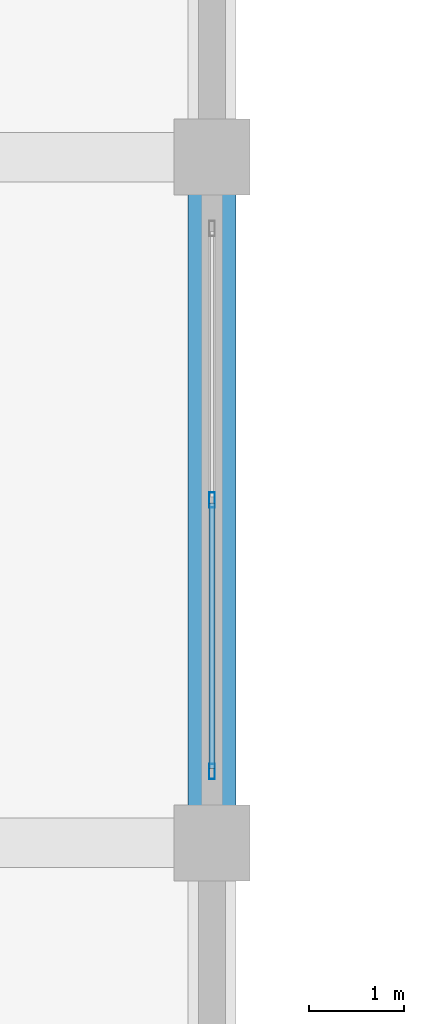
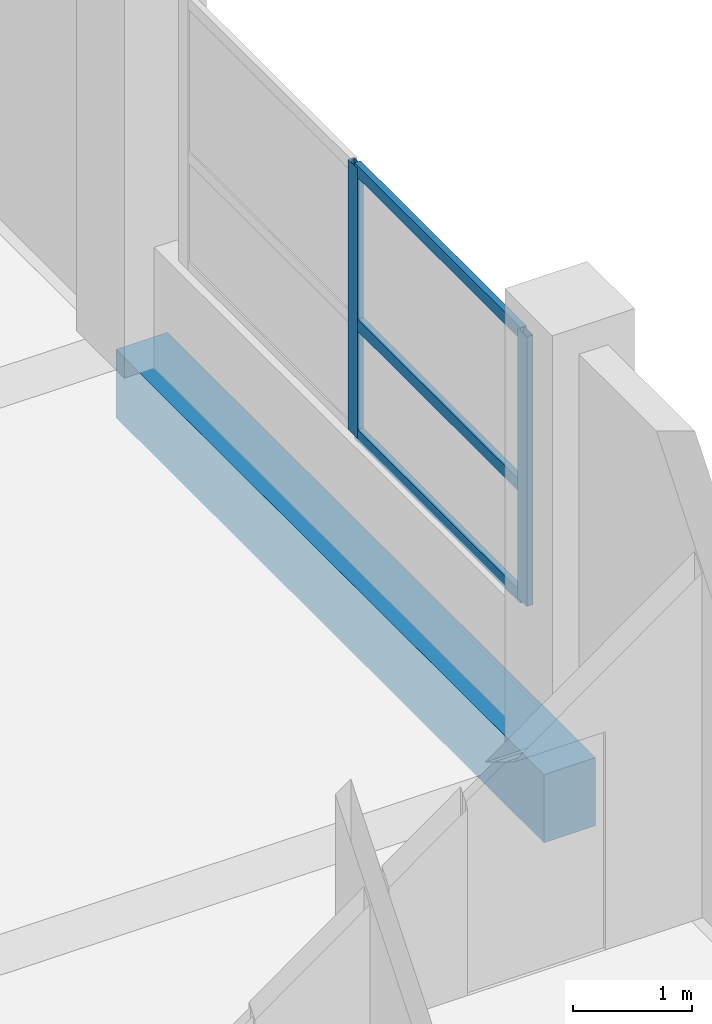
# One storey, part 22 of 140: 5 members, 1 beam, 1 element without a shape of its own.
"""IFC4 building model written with IfcOpenShell, lengths in metres."""

from ifc_helpers import new_model, si_unit, direction, frame, origin, origin_2d, place, context, subcontext, project, spatial, rectangle, hollow_rectangle, extrude, material, layer, layer_set, material_profile, profile_set, type_object, element, aggregate, save


model = new_model("IFC4")

# Units and contexts
model_context = context("Model", 3, precision=1e-05, world=origin(), true_north=direction((0.0, 1.0)))
body_context = subcontext(model_context, "Body", "Model", "MODEL_VIEW")
ifc_project = project(units=[si_unit("LENGTHUNIT", "METRE"), si_unit("AREAUNIT", "SQUARE_METRE"), si_unit("VOLUMEUNIT", "CUBIC_METRE"), si_unit("PLANEANGLEUNIT", "RADIAN"), si_unit("MASSUNIT", "GRAM", prefix="KILO")], contexts=[model_context])

# Site, building, storey
site_placement = place(None, origin())
site = spatial("IfcSite", under=ifc_project, at=site_placement, CompositionType="ELEMENT")
building_placement = place(site_placement, origin())
building = spatial("IfcBuilding", under=site, at=building_placement, Name="Seraya Terrace Polytechnic", CompositionType="ELEMENT")
storey_placement = place(building_placement, frame((0.0, 0.0, 9.60009765625)))
storey = spatial("IfcBuildingStorey", under=building, at=storey_placement, Name="L02", CompositionType="ELEMENT", Elevation=9.60009765625)

# Beam
ifc_material_1 = material(Name="Concrete C40/50", Category="concrete")
ifc_material_profile_1 = material_profile(ifc_material_1, rectangle(XDim=0.5, YDim=0.699951171875, at=origin_2d()), Name="RC 500x700")
ifc_profile_set_1 = profile_set([ifc_material_profile_1], Name="Concrete C40/50")
beam_type = type_object("IfcBeamType", Name="BM-07", PredefinedType="BEAM", material=ifc_profile_set_1)
beam_placement = place(storey_placement, frame((43.199951171875, 50.39990234375, -0.35009765625), z_axis=(0.0, 1.0, 0.0), x_axis=(-1.0, 0.0, 0.0)))
element("IfcBeam", 1, at=beam_placement, inside=storey, type_object=beam_type, Name="Beam BM-07 L02 Y (43.2, 50.4..57.6)", PredefinedType="BEAM", context=body_context, shape_type="SweptSolid", body=[
    extrude(rectangle(XDim=0.5, YDim=0.699951171875, at=origin_2d()), origin(), (0.0, 0.0, 1.0), 7.2001953125),
])

# Curtain wall, members
ifc_material_2 = material(Name="Anodised aluminium EN AW-6063 T6", Category="aluminium")
ifc_layer = layer(ifc_material_2, 0.179931640625, Name="CW-14")
ifc_layer_set = layer_set([ifc_layer], Name="Anodised aluminium EN AW-6063 T6")
curtain_wall_type = type_object("IfcCurtainWallType", Name="CW-14", PredefinedType="NOTDEFINED", material=ifc_layer_set)
curtain_wall_placement = place(storey_placement, origin())
curtain_wall = element("IfcCurtainWall", 2, at=curtain_wall_placement, inside=storey, type_object=curtain_wall_type, Name="Unitised curtain wall CW-14 (CW-L02-086)", PredefinedType="NOTDEFINED")
ifc_material_profile_2 = material_profile(ifc_material_2, hollow_rectangle(XDim=0.06005859375, YDim=0.159912109375, WallThickness=0.00341796875, at=origin_2d()), Name="RHS 160x60x3.5")
ifc_profile_set_2 = profile_set([ifc_material_profile_2], Name="Anodised aluminium EN AW-6063 T6")
member_type_1 = type_object("IfcMemberType", Name="CWM-02", PredefinedType="MULLION", material=ifc_profile_set_2)
member_1_placement = place(storey_placement, frame((43.199951171875, 54.0, 1.239990234375), z_axis=(0.0, 0.0, 1.0), x_axis=(1.0, 0.0, 0.0)))
member_1 = element("IfcMember", 3, at=member_1_placement, type_object=member_type_1, Name="CW-14 mullion 2", PredefinedType="MULLION", context=body_context, shape_type="SweptSolid", body=[
    extrude(hollow_rectangle(XDim=0.06005859375, YDim=0.159912109375, WallThickness=0.00341796875, at=origin_2d()), origin(), (0.0, 0.0, 1.0), 2.77001953125),
])
member_2_placement = place(storey_placement, frame((43.199951171875, 51.14990234375, 1.239990234375), z_axis=(0.0, 0.0, 1.0), x_axis=(1.0, 0.0, 0.0)))
member_2 = element("IfcMember", 4, at=member_2_placement, type_object=member_type_1, Name="CW-14 mullion 3", PredefinedType="MULLION", context=body_context, shape_type="SweptSolid", body=[
    extrude(hollow_rectangle(XDim=0.06005859375, YDim=0.159912109375, WallThickness=0.00341796875, at=origin_2d()), origin(), (0.0, 0.0, 1.0), 2.77001953125),
])
ifc_material_profile_3 = material_profile(ifc_material_2, hollow_rectangle(XDim=0.06005859375, YDim=0.1201171875, WallThickness=0.003173828125, at=origin_2d()), Name="RHS 120x60x3.2")
ifc_profile_set_3 = profile_set([ifc_material_profile_3], Name="Anodised aluminium EN AW-6063 T6")
member_type_2 = type_object("IfcMemberType", Name="CWT-02", PredefinedType="USERDEFINED", material=ifc_profile_set_3)
member_3_placement = place(storey_placement, frame((43.199951171875, 53.969970703125, 1.27001953125), z_axis=(0.0, -1.0, 0.0), x_axis=(1.0, 0.0, 0.0)))
member_3 = element("IfcMember", 5, at=member_3_placement, type_object=member_type_2, Name="CW-14 transom 2.1", ObjectType="TRANSOM", PredefinedType="USERDEFINED", context=body_context, shape_type="SweptSolid", body=[
    extrude(hollow_rectangle(XDim=0.06005859375, YDim=0.1201171875, WallThickness=0.003173828125, at=origin_2d()), origin(), (0.0, 0.0, 1.0), 2.7900390625),
])
member_4_placement = place(storey_placement, frame((43.199951171875, 53.969970703125, 2.4033203125), z_axis=(0.0, -1.0, 0.0), x_axis=(1.0, 0.0, 0.0)))
member_4 = element("IfcMember", 6, at=member_4_placement, type_object=member_type_2, Name="CW-14 transom 2.2", ObjectType="TRANSOM", PredefinedType="USERDEFINED", context=body_context, shape_type="SweptSolid", body=[
    extrude(hollow_rectangle(XDim=0.06005859375, YDim=0.1201171875, WallThickness=0.003173828125, at=origin_2d()), origin(), (0.0, 0.0, 1.0), 2.7900390625),
])
member_5_placement = place(storey_placement, frame((43.199951171875, 53.969970703125, 3.97998046875), z_axis=(0.0, -1.0, 0.0), x_axis=(1.0, 0.0, 0.0)))
member_5 = element("IfcMember", 7, at=member_5_placement, type_object=member_type_2, Name="CW-14 transom 2.3", ObjectType="TRANSOM", PredefinedType="USERDEFINED", context=body_context, shape_type="SweptSolid", body=[
    extrude(hollow_rectangle(XDim=0.06005859375, YDim=0.1201171875, WallThickness=0.003173828125, at=origin_2d()), origin(), (0.0, 0.0, 1.0), 2.7900390625),
])
aggregate(curtain_wall, [member_1, member_2, member_3, member_4, member_5])

save(model, "model.ifc")
